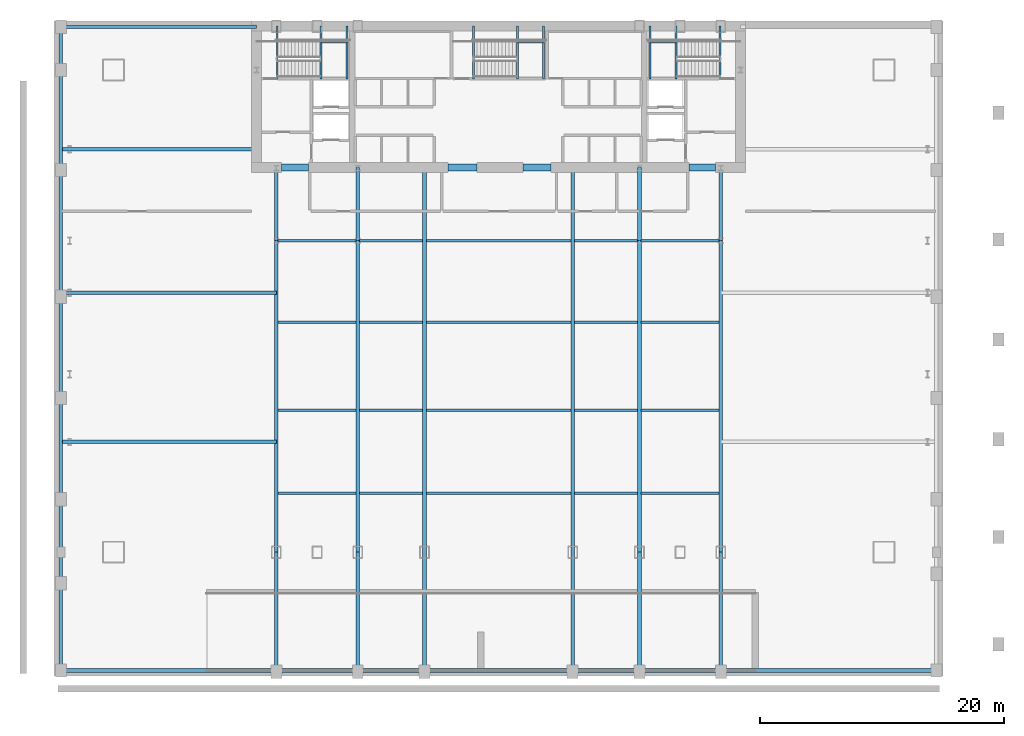
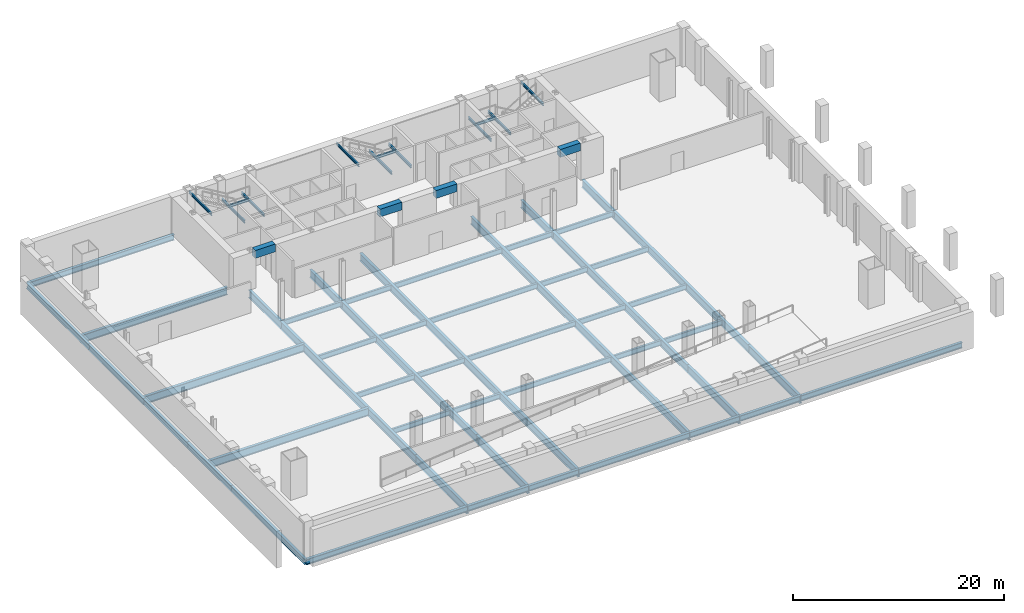
# One storey, part 5 of 10: 66 beams.
"""IFC4 building model written with IfcOpenShell, lengths in metres."""

from ifc_helpers import new_model, si_unit, direction, frame, origin, origin_2d, place, context, subcontext, project, spatial, rectangle, i_section, extrude, material, material_profile, profile_set, type_object, element, save


model = new_model("IFC4")

# Units and contexts
model_context = context("Model", 3, precision=1e-05, world=origin(), true_north=direction((0.0, 1.0)))
body_context = subcontext(model_context, "Body", "Model", "MODEL_VIEW")
ifc_project = project(units=[si_unit("LENGTHUNIT", "METRE"), si_unit("AREAUNIT", "SQUARE_METRE"), si_unit("VOLUMEUNIT", "CUBIC_METRE"), si_unit("PLANEANGLEUNIT", "RADIAN"), si_unit("MASSUNIT", "GRAM", prefix="KILO")], contexts=[model_context])

# Site, building, storey
site_placement = place(None, origin())
site = spatial("IfcSite", under=ifc_project, at=site_placement, CompositionType="ELEMENT")
building_placement = place(site_placement, origin())
building = spatial("IfcBuilding", under=site, at=building_placement, Name="Khoronbel Lancet Exchange", CompositionType="ELEMENT")
storey_placement = place(building_placement, frame((0.0, 0.0, -4.5)))
storey = spatial("IfcBuildingStorey", under=building, at=storey_placement, Name="B1", CompositionType="ELEMENT", Elevation=-4.5)

# Beams
ifc_material_1 = material(Name="Steel S355", Category="steel")
ifc_material_profile_1 = material_profile(ifc_material_1, i_section(OverallWidth=0.300048828125, OverallDepth=0.89990234375, WebThickness=0.0185546875, FlangeThickness=0.034912109375, at=origin_2d()), Name="HEB 900")
ifc_profile_set_1 = profile_set([ifc_material_profile_1], Name="Steel S355")
beam_type_1 = type_object("IfcBeamType", Name="BM-BG1", PredefinedType="BEAM", material=ifc_profile_set_1)
beam_1_placement = place(storey_placement, frame((18.22509765625, 0.35009765625, -0.669921875), z_axis=(0.0, 1.0, 0.0), x_axis=(-1.0, 0.0, 0.0)))
element("IfcBeam", 1, at=beam_1_placement, inside=storey, type_object=beam_type_1, Name="Level B1 south bay girder GS01", PredefinedType="BEAM", context=body_context, shape_type="SweptSolid", body=[
    extrude(i_section(OverallWidth=0.300048828125, OverallDepth=0.89990234375, WebThickness=0.0185546875, FlangeThickness=0.034912109375, at=origin_2d()), origin(), (0.0, 0.0, 1.0), 9.7998046875),
])
beam_2_placement = place(storey_placement, frame((18.22509765625, 10.14990234375, -0.669921875), z_axis=(0.0, 1.0, 0.0), x_axis=(-1.0, 0.0, 0.0)))
element("IfcBeam", 2, at=beam_2_placement, inside=storey, type_object=beam_type_1, Name="Level B1 south primary girder GS1", PredefinedType="BEAM", context=body_context, shape_type="SweptSolid", body=[
    extrude(i_section(OverallWidth=0.300048828125, OverallDepth=0.89990234375, WebThickness=0.0185546875, FlangeThickness=0.034912109375, at=origin_2d()), origin(), (0.0, 0.0, 1.0), 25.550048828125),
])
beam_3_placement = place(storey_placement, frame((18.22509765625, 35.699951171875, -0.669921875), z_axis=(0.0, 1.0, 0.0), x_axis=(-1.0, 0.0, 0.0)))
element("IfcBeam", 3, at=beam_3_placement, inside=storey, type_object=beam_type_1, Name="Level B1 spine tie girder GN1", PredefinedType="BEAM", context=body_context, shape_type="SweptSolid", body=[
    extrude(i_section(OverallWidth=0.300048828125, OverallDepth=0.89990234375, WebThickness=0.0185546875, FlangeThickness=0.034912109375, at=origin_2d()), origin(), (0.0, 0.0, 1.0), 6.0),
])
beam_4_placement = place(storey_placement, frame((24.89990234375, 0.35009765625, -0.669921875), z_axis=(0.0, 1.0, 0.0), x_axis=(-1.0, 0.0, 0.0)))
element("IfcBeam", 4, at=beam_4_placement, inside=storey, type_object=beam_type_1, Name="Level B1 south bay girder GS02", PredefinedType="BEAM", context=body_context, shape_type="SweptSolid", body=[
    extrude(i_section(OverallWidth=0.300048828125, OverallDepth=0.89990234375, WebThickness=0.0185546875, FlangeThickness=0.034912109375, at=origin_2d()), origin(), (0.0, 0.0, 1.0), 9.7998046875),
])
beam_5_placement = place(storey_placement, frame((24.89990234375, 10.14990234375, -0.669921875), z_axis=(0.0, 1.0, 0.0), x_axis=(-1.0, 0.0, 0.0)))
element("IfcBeam", 5, at=beam_5_placement, inside=storey, type_object=beam_type_1, Name="Level B1 south primary girder GS2", PredefinedType="BEAM", context=body_context, shape_type="SweptSolid", body=[
    extrude(i_section(OverallWidth=0.300048828125, OverallDepth=0.89990234375, WebThickness=0.0185546875, FlangeThickness=0.034912109375, at=origin_2d()), origin(), (0.0, 0.0, 1.0), 25.550048828125),
])
beam_6_placement = place(storey_placement, frame((24.89990234375, 35.699951171875, -0.669921875), z_axis=(0.0, 1.0, 0.0), x_axis=(-1.0, 0.0, 0.0)))
element("IfcBeam", 6, at=beam_6_placement, inside=storey, type_object=beam_type_1, Name="Level B1 spine tie girder GN2", PredefinedType="BEAM", context=body_context, shape_type="SweptSolid", body=[
    extrude(i_section(OverallWidth=0.300048828125, OverallDepth=0.89990234375, WebThickness=0.0185546875, FlangeThickness=0.034912109375, at=origin_2d()), origin(), (0.0, 0.0, 1.0), 6.0),
])
for number, where, z_axis, x_axis, name in (
    (7, (30.375, 0.35009765625, -0.669921875), (0.0, 1.0, 0.0), (-1.0, 0.0, 0.0), "Level B1 primary floor girder G3"),
    (8, (42.52490234375, 0.35009765625, -0.669921875), (0.0, 1.0, 0.0), (-1.0, 0.0, 0.0), "Level B1 primary floor girder G4"),
):
    element("IfcBeam", number, at=place(storey_placement, frame(where, z_axis=z_axis, x_axis=x_axis)), inside=storey, type_object=beam_type_1, Name=name, PredefinedType="BEAM", context=body_context, shape_type="SweptSolid", body=[
        extrude(i_section(OverallWidth=0.300048828125, OverallDepth=0.89990234375, WebThickness=0.0185546875, FlangeThickness=0.034912109375, at=origin_2d()), origin(), (0.0, 0.0, 1.0), 41.349853515625),
    ])
beam_7_placement = place(storey_placement, frame((48.0, 0.35009765625, -0.669921875), z_axis=(0.0, 1.0, 0.0), x_axis=(-1.0, 0.0, 0.0)))
element("IfcBeam", 9, at=beam_7_placement, inside=storey, type_object=beam_type_1, Name="Level B1 south bay girder GS05", PredefinedType="BEAM", context=body_context, shape_type="SweptSolid", body=[
    extrude(i_section(OverallWidth=0.300048828125, OverallDepth=0.89990234375, WebThickness=0.0185546875, FlangeThickness=0.034912109375, at=origin_2d()), origin(), (0.0, 0.0, 1.0), 9.7998046875),
])
beam_8_placement = place(storey_placement, frame((48.0, 10.14990234375, -0.669921875), z_axis=(0.0, 1.0, 0.0), x_axis=(-1.0, 0.0, 0.0)))
element("IfcBeam", 10, at=beam_8_placement, inside=storey, type_object=beam_type_1, Name="Level B1 south primary girder GS5", PredefinedType="BEAM", context=body_context, shape_type="SweptSolid", body=[
    extrude(i_section(OverallWidth=0.300048828125, OverallDepth=0.89990234375, WebThickness=0.0185546875, FlangeThickness=0.034912109375, at=origin_2d()), origin(), (0.0, 0.0, 1.0), 25.550048828125),
])
beam_9_placement = place(storey_placement, frame((48.0, 35.699951171875, -0.669921875), z_axis=(0.0, 1.0, 0.0), x_axis=(-1.0, 0.0, 0.0)))
element("IfcBeam", 11, at=beam_9_placement, inside=storey, type_object=beam_type_1, Name="Level B1 spine tie girder GN5", PredefinedType="BEAM", context=body_context, shape_type="SweptSolid", body=[
    extrude(i_section(OverallWidth=0.300048828125, OverallDepth=0.89990234375, WebThickness=0.0185546875, FlangeThickness=0.034912109375, at=origin_2d()), origin(), (0.0, 0.0, 1.0), 6.0),
])
beam_10_placement = place(storey_placement, frame((54.675048828125, 0.35009765625, -0.669921875), z_axis=(0.0, 1.0, 0.0), x_axis=(-1.0, 0.0, 0.0)))
element("IfcBeam", 12, at=beam_10_placement, inside=storey, type_object=beam_type_1, Name="Level B1 south bay girder GS06", PredefinedType="BEAM", context=body_context, shape_type="SweptSolid", body=[
    extrude(i_section(OverallWidth=0.300048828125, OverallDepth=0.89990234375, WebThickness=0.0185546875, FlangeThickness=0.034912109375, at=origin_2d()), origin(), (0.0, 0.0, 1.0), 9.7998046875),
])
beam_11_placement = place(storey_placement, frame((54.675048828125, 10.14990234375, -0.669921875), z_axis=(0.0, 1.0, 0.0), x_axis=(-1.0, 0.0, 0.0)))
element("IfcBeam", 13, at=beam_11_placement, inside=storey, type_object=beam_type_1, Name="Level B1 south primary girder GS6", PredefinedType="BEAM", context=body_context, shape_type="SweptSolid", body=[
    extrude(i_section(OverallWidth=0.300048828125, OverallDepth=0.89990234375, WebThickness=0.0185546875, FlangeThickness=0.034912109375, at=origin_2d()), origin(), (0.0, 0.0, 1.0), 25.550048828125),
])
beam_12_placement = place(storey_placement, frame((54.675048828125, 35.699951171875, -0.669921875), z_axis=(0.0, 1.0, 0.0), x_axis=(-1.0, 0.0, 0.0)))
element("IfcBeam", 14, at=beam_12_placement, inside=storey, type_object=beam_type_1, Name="Level B1 spine tie girder GN6", PredefinedType="BEAM", context=body_context, shape_type="SweptSolid", body=[
    extrude(i_section(OverallWidth=0.300048828125, OverallDepth=0.89990234375, WebThickness=0.0185546875, FlangeThickness=0.034912109375, at=origin_2d()), origin(), (0.0, 0.0, 1.0), 6.0),
])
for number, where, z_axis, x_axis, name in (
    (15, (0.550048828125, 19.199951171875, -0.669921875), (1.0, 0.0, 0.0), (0.0, 1.0, 0.0), "Level B1 west lens tie girder LG1W"),
    (16, (0.550048828125, 31.425048828125, -0.669921875), (1.0, 0.0, 0.0), (0.0, 1.0, 0.0), "Level B1 west lens tie girder LG2W"),
):
    element("IfcBeam", number, at=place(storey_placement, frame(where, z_axis=z_axis, x_axis=x_axis)), inside=storey, type_object=beam_type_1, Name=name, PredefinedType="BEAM", context=body_context, shape_type="SweptSolid", body=[
        extrude(i_section(OverallWidth=0.300048828125, OverallDepth=0.89990234375, WebThickness=0.0185546875, FlangeThickness=0.034912109375, at=origin_2d()), origin(), (0.0, 0.0, 1.0), 17.675048828125),
    ])
beam_13_placement = place(storey_placement, frame((0.550048828125, 43.199951171875, -0.669921875), z_axis=(1.0, 0.0, 0.0), x_axis=(0.0, 1.0, 0.0)))
element("IfcBeam", 17, at=beam_13_placement, inside=storey, type_object=beam_type_1, Name="Level B1 west lens tie girder LG3W", PredefinedType="BEAM", context=body_context, shape_type="SweptSolid", body=[
    extrude(i_section(OverallWidth=0.300048828125, OverallDepth=0.89990234375, WebThickness=0.0185546875, FlangeThickness=0.034912109375, at=origin_2d()), origin(), (0.0, 0.0, 1.0), 16.050048828125),
])
ifc_material_profile_2 = material_profile(ifc_material_1, i_section(OverallWidth=0.219970703125, OverallDepth=0.60009765625, WebThickness=0.011962890625, FlangeThickness=0.01904296875, at=origin_2d()), Name="IPE 600")
ifc_profile_set_2 = profile_set([ifc_material_profile_2], Name="Steel S355")
beam_type_2 = type_object("IfcBeamType", Name="BM-BJ1", PredefinedType="JOIST", material=ifc_profile_set_2)
beam_14_placement = place(storey_placement, frame((18.375, 15.0, -0.52001953125), z_axis=(1.0, 0.0, 0.0), x_axis=(0.0, 1.0, 0.0)))
element("IfcBeam", 18, at=beam_14_placement, inside=storey, type_object=beam_type_2, Name="Level B1 secondary composite joist J01", PredefinedType="JOIST", context=body_context, shape_type="SweptSolid", body=[
    extrude(i_section(OverallWidth=0.219970703125, OverallDepth=0.60009765625, WebThickness=0.011962890625, FlangeThickness=0.01904296875, at=origin_2d()), origin(), (0.0, 0.0, 1.0), 6.375),
])
beam_15_placement = place(storey_placement, frame((25.050048828125, 15.0, -0.52001953125), z_axis=(1.0, 0.0, 0.0), x_axis=(0.0, 1.0, 0.0)))
element("IfcBeam", 19, at=beam_15_placement, inside=storey, type_object=beam_type_2, Name="Level B1 secondary composite joist J02", PredefinedType="JOIST", context=body_context, shape_type="SweptSolid", body=[
    extrude(i_section(OverallWidth=0.219970703125, OverallDepth=0.60009765625, WebThickness=0.011962890625, FlangeThickness=0.01904296875, at=origin_2d()), origin(), (0.0, 0.0, 1.0), 5.175048828125),
])
beam_16_placement = place(storey_placement, frame((30.52490234375, 15.0, -0.52001953125), z_axis=(1.0, 0.0, 0.0), x_axis=(0.0, 1.0, 0.0)))
element("IfcBeam", 20, at=beam_16_placement, inside=storey, type_object=beam_type_2, Name="Level B1 secondary composite joist J03", PredefinedType="JOIST", context=body_context, shape_type="SweptSolid", body=[
    extrude(i_section(OverallWidth=0.219970703125, OverallDepth=0.60009765625, WebThickness=0.011962890625, FlangeThickness=0.01904296875, at=origin_2d()), origin(), (0.0, 0.0, 1.0), 11.85009765625),
])
beam_17_placement = place(storey_placement, frame((42.675048828125, 15.0, -0.52001953125), z_axis=(1.0, 0.0, 0.0), x_axis=(0.0, 1.0, 0.0)))
element("IfcBeam", 21, at=beam_17_placement, inside=storey, type_object=beam_type_2, Name="Level B1 secondary composite joist J04", PredefinedType="JOIST", context=body_context, shape_type="SweptSolid", body=[
    extrude(i_section(OverallWidth=0.219970703125, OverallDepth=0.60009765625, WebThickness=0.011962890625, FlangeThickness=0.01904296875, at=origin_2d()), origin(), (0.0, 0.0, 1.0), 5.175048828125),
])
for number, where, z_axis, x_axis, name in (
    (22, (48.14990234375, 15.0, -0.52001953125), (1.0, 0.0, 0.0), (0.0, 1.0, 0.0), "Level B1 secondary composite joist J05"),
    (23, (18.375, 21.800048828125, -0.52001953125), (1.0, 0.0, 0.0), (0.0, 1.0, 0.0), "Level B1 secondary composite joist J06"),
):
    element("IfcBeam", number, at=place(storey_placement, frame(where, z_axis=z_axis, x_axis=x_axis)), inside=storey, type_object=beam_type_2, Name=name, PredefinedType="JOIST", context=body_context, shape_type="SweptSolid", body=[
        extrude(i_section(OverallWidth=0.219970703125, OverallDepth=0.60009765625, WebThickness=0.011962890625, FlangeThickness=0.01904296875, at=origin_2d()), origin(), (0.0, 0.0, 1.0), 6.375),
    ])
beam_18_placement = place(storey_placement, frame((25.050048828125, 21.800048828125, -0.52001953125), z_axis=(1.0, 0.0, 0.0), x_axis=(0.0, 1.0, 0.0)))
element("IfcBeam", 24, at=beam_18_placement, inside=storey, type_object=beam_type_2, Name="Level B1 secondary composite joist J07", PredefinedType="JOIST", context=body_context, shape_type="SweptSolid", body=[
    extrude(i_section(OverallWidth=0.219970703125, OverallDepth=0.60009765625, WebThickness=0.011962890625, FlangeThickness=0.01904296875, at=origin_2d()), origin(), (0.0, 0.0, 1.0), 5.175048828125),
])
beam_19_placement = place(storey_placement, frame((30.52490234375, 21.800048828125, -0.52001953125), z_axis=(1.0, 0.0, 0.0), x_axis=(0.0, 1.0, 0.0)))
element("IfcBeam", 25, at=beam_19_placement, inside=storey, type_object=beam_type_2, Name="Level B1 secondary composite joist J08", PredefinedType="JOIST", context=body_context, shape_type="SweptSolid", body=[
    extrude(i_section(OverallWidth=0.219970703125, OverallDepth=0.60009765625, WebThickness=0.011962890625, FlangeThickness=0.01904296875, at=origin_2d()), origin(), (0.0, 0.0, 1.0), 11.85009765625),
])
beam_20_placement = place(storey_placement, frame((42.675048828125, 21.800048828125, -0.52001953125), z_axis=(1.0, 0.0, 0.0), x_axis=(0.0, 1.0, 0.0)))
element("IfcBeam", 26, at=beam_20_placement, inside=storey, type_object=beam_type_2, Name="Level B1 secondary composite joist J09", PredefinedType="JOIST", context=body_context, shape_type="SweptSolid", body=[
    extrude(i_section(OverallWidth=0.219970703125, OverallDepth=0.60009765625, WebThickness=0.011962890625, FlangeThickness=0.01904296875, at=origin_2d()), origin(), (0.0, 0.0, 1.0), 5.175048828125),
])
for number, where, z_axis, x_axis, name in (
    (27, (48.14990234375, 21.800048828125, -0.52001953125), (1.0, 0.0, 0.0), (0.0, 1.0, 0.0), "Level B1 secondary composite joist J10"),
    (28, (18.375, 29.0, -0.52001953125), (1.0, 0.0, 0.0), (0.0, 1.0, 0.0), "Level B1 secondary composite joist J11"),
):
    element("IfcBeam", number, at=place(storey_placement, frame(where, z_axis=z_axis, x_axis=x_axis)), inside=storey, type_object=beam_type_2, Name=name, PredefinedType="JOIST", context=body_context, shape_type="SweptSolid", body=[
        extrude(i_section(OverallWidth=0.219970703125, OverallDepth=0.60009765625, WebThickness=0.011962890625, FlangeThickness=0.01904296875, at=origin_2d()), origin(), (0.0, 0.0, 1.0), 6.375),
    ])
beam_21_placement = place(storey_placement, frame((25.050048828125, 29.0, -0.52001953125), z_axis=(1.0, 0.0, 0.0), x_axis=(0.0, 1.0, 0.0)))
element("IfcBeam", 29, at=beam_21_placement, inside=storey, type_object=beam_type_2, Name="Level B1 secondary composite joist J12", PredefinedType="JOIST", context=body_context, shape_type="SweptSolid", body=[
    extrude(i_section(OverallWidth=0.219970703125, OverallDepth=0.60009765625, WebThickness=0.011962890625, FlangeThickness=0.01904296875, at=origin_2d()), origin(), (0.0, 0.0, 1.0), 5.175048828125),
])
beam_22_placement = place(storey_placement, frame((30.52490234375, 29.0, -0.52001953125), z_axis=(1.0, 0.0, 0.0), x_axis=(0.0, 1.0, 0.0)))
element("IfcBeam", 30, at=beam_22_placement, inside=storey, type_object=beam_type_2, Name="Level B1 secondary composite joist J13", PredefinedType="JOIST", context=body_context, shape_type="SweptSolid", body=[
    extrude(i_section(OverallWidth=0.219970703125, OverallDepth=0.60009765625, WebThickness=0.011962890625, FlangeThickness=0.01904296875, at=origin_2d()), origin(), (0.0, 0.0, 1.0), 11.85009765625),
])
beam_23_placement = place(storey_placement, frame((42.675048828125, 29.0, -0.52001953125), z_axis=(1.0, 0.0, 0.0), x_axis=(0.0, 1.0, 0.0)))
element("IfcBeam", 31, at=beam_23_placement, inside=storey, type_object=beam_type_2, Name="Level B1 secondary composite joist J14", PredefinedType="JOIST", context=body_context, shape_type="SweptSolid", body=[
    extrude(i_section(OverallWidth=0.219970703125, OverallDepth=0.60009765625, WebThickness=0.011962890625, FlangeThickness=0.01904296875, at=origin_2d()), origin(), (0.0, 0.0, 1.0), 5.175048828125),
])
for number, where, z_axis, x_axis, name in (
    (32, (48.14990234375, 29.0, -0.52001953125), (1.0, 0.0, 0.0), (0.0, 1.0, 0.0), "Level B1 secondary composite joist J15"),
    (33, (18.375, 35.699951171875, -0.52001953125), (1.0, 0.0, 0.0), (0.0, 1.0, 0.0), "Level B1 secondary composite joist J16"),
):
    element("IfcBeam", number, at=place(storey_placement, frame(where, z_axis=z_axis, x_axis=x_axis)), inside=storey, type_object=beam_type_2, Name=name, PredefinedType="JOIST", context=body_context, shape_type="SweptSolid", body=[
        extrude(i_section(OverallWidth=0.219970703125, OverallDepth=0.60009765625, WebThickness=0.011962890625, FlangeThickness=0.01904296875, at=origin_2d()), origin(), (0.0, 0.0, 1.0), 6.375),
    ])
beam_24_placement = place(storey_placement, frame((25.050048828125, 35.699951171875, -0.52001953125), z_axis=(1.0, 0.0, 0.0), x_axis=(0.0, 1.0, 0.0)))
element("IfcBeam", 34, at=beam_24_placement, inside=storey, type_object=beam_type_2, Name="Level B1 secondary composite joist J17", PredefinedType="JOIST", context=body_context, shape_type="SweptSolid", body=[
    extrude(i_section(OverallWidth=0.219970703125, OverallDepth=0.60009765625, WebThickness=0.011962890625, FlangeThickness=0.01904296875, at=origin_2d()), origin(), (0.0, 0.0, 1.0), 5.175048828125),
])
beam_25_placement = place(storey_placement, frame((30.52490234375, 35.699951171875, -0.52001953125), z_axis=(1.0, 0.0, 0.0), x_axis=(0.0, 1.0, 0.0)))
element("IfcBeam", 35, at=beam_25_placement, inside=storey, type_object=beam_type_2, Name="Level B1 secondary composite joist J18", PredefinedType="JOIST", context=body_context, shape_type="SweptSolid", body=[
    extrude(i_section(OverallWidth=0.219970703125, OverallDepth=0.60009765625, WebThickness=0.011962890625, FlangeThickness=0.01904296875, at=origin_2d()), origin(), (0.0, 0.0, 1.0), 11.85009765625),
])
beam_26_placement = place(storey_placement, frame((42.675048828125, 35.699951171875, -0.52001953125), z_axis=(1.0, 0.0, 0.0), x_axis=(0.0, 1.0, 0.0)))
element("IfcBeam", 36, at=beam_26_placement, inside=storey, type_object=beam_type_2, Name="Level B1 secondary composite joist J19", PredefinedType="JOIST", context=body_context, shape_type="SweptSolid", body=[
    extrude(i_section(OverallWidth=0.219970703125, OverallDepth=0.60009765625, WebThickness=0.011962890625, FlangeThickness=0.01904296875, at=origin_2d()), origin(), (0.0, 0.0, 1.0), 5.175048828125),
])
beam_27_placement = place(storey_placement, frame((48.14990234375, 35.699951171875, -0.52001953125), z_axis=(1.0, 0.0, 0.0), x_axis=(0.0, 1.0, 0.0)))
element("IfcBeam", 37, at=beam_27_placement, inside=storey, type_object=beam_type_2, Name="Level B1 secondary composite joist J20", PredefinedType="JOIST", context=body_context, shape_type="SweptSolid", body=[
    extrude(i_section(OverallWidth=0.219970703125, OverallDepth=0.60009765625, WebThickness=0.011962890625, FlangeThickness=0.01904296875, at=origin_2d()), origin(), (0.0, 0.0, 1.0), 6.375),
])
ifc_material_profile_3 = material_profile(ifc_material_1, i_section(OverallWidth=0.159912109375, OverallDepth=0.330078125, WebThickness=0.007568359375, FlangeThickness=0.011474609375, at=origin_2d()), Name="IPE 330")
ifc_profile_set_3 = profile_set([ifc_material_profile_3], Name="Steel S355")
beam_type_3 = type_object("IfcBeamType", Name="BM-BJ7", PredefinedType="JOIST", material=ifc_profile_set_3)
for number, where, z_axis, x_axis, name in (
    (38, (21.89990234375, 48.97998046875, 1.885009765625), (0.0, 1.0, 0.0), (-1.0, 0.0, 0.0), "Level B1 stair ST1 landing bearer beam 1"),
    (39, (24.030029296875, 48.97998046875, 1.885009765625), (0.0, 1.0, 0.0), (-1.0, 0.0, 0.0), "Level B1 stair ST1 rear landing bearer beam 1"),
):
    element("IfcBeam", number, at=place(storey_placement, frame(where, z_axis=z_axis, x_axis=x_axis)), inside=storey, type_object=beam_type_3, Name=name, PredefinedType="JOIST", context=body_context, shape_type="SweptSolid", body=[
        extrude(i_section(OverallWidth=0.159912109375, OverallDepth=0.330078125, WebThickness=0.007568359375, FlangeThickness=0.011474609375, at=origin_2d()), origin(), (0.0, 0.0, 1.0), 4.320068359375),
    ])
beam_28_placement = place(storey_placement, frame((21.89990234375, 51.97998046875, 1.885009765625), z_axis=(1.0, 0.0, 0.0), x_axis=(0.0, 1.0, 0.0)))
element("IfcBeam", 40, at=beam_28_placement, inside=storey, type_object=beam_type_3, Name="Level B1 stair ST1 landing cross trimmer beam 1", PredefinedType="JOIST", context=body_context, shape_type="SweptSolid", body=[
    extrude(i_section(OverallWidth=0.159912109375, OverallDepth=0.330078125, WebThickness=0.007568359375, FlangeThickness=0.011474609375, at=origin_2d()), origin(), (0.0, 0.0, 1.0), 2.130126953125),
])
for number, where, z_axis, x_axis, name in (
    (41, (51.0, 48.97998046875, 1.885009765625), (0.0, 1.0, 0.0), (-1.0, 0.0, 0.0), "Level B1 stair ST2 landing bearer beam 1"),
    (42, (48.8701171875, 48.97998046875, 1.885009765625), (0.0, 1.0, 0.0), (-1.0, 0.0, 0.0), "Level B1 stair ST2 rear landing bearer beam 1"),
):
    element("IfcBeam", number, at=place(storey_placement, frame(where, z_axis=z_axis, x_axis=x_axis)), inside=storey, type_object=beam_type_3, Name=name, PredefinedType="JOIST", context=body_context, shape_type="SweptSolid", body=[
        extrude(i_section(OverallWidth=0.159912109375, OverallDepth=0.330078125, WebThickness=0.007568359375, FlangeThickness=0.011474609375, at=origin_2d()), origin(), (0.0, 0.0, 1.0), 4.320068359375),
    ])
beam_29_placement = place(storey_placement, frame((48.8701171875, 51.97998046875, 1.885009765625), z_axis=(1.0, 0.0, 0.0), x_axis=(0.0, 1.0, 0.0)))
element("IfcBeam", 43, at=beam_29_placement, inside=storey, type_object=beam_type_3, Name="Level B1 stair ST2 landing cross trimmer beam 1", PredefinedType="JOIST", context=body_context, shape_type="SweptSolid", body=[
    extrude(i_section(OverallWidth=0.159912109375, OverallDepth=0.330078125, WebThickness=0.007568359375, FlangeThickness=0.011474609375, at=origin_2d()), origin(), (0.0, 0.0, 1.0), 2.1298828125),
])
for number, where, z_axis, x_axis, name in (
    (44, (38.0, 48.97998046875, 1.885009765625), (0.0, 1.0, 0.0), (-1.0, 0.0, 0.0), "Level B1 stair ST3 landing bearer beam 1"),
    (45, (40.1298828125, 48.97998046875, 1.885009765625), (0.0, 1.0, 0.0), (-1.0, 0.0, 0.0), "Level B1 stair ST3 rear landing bearer beam 1"),
):
    element("IfcBeam", number, at=place(storey_placement, frame(where, z_axis=z_axis, x_axis=x_axis)), inside=storey, type_object=beam_type_3, Name=name, PredefinedType="JOIST", context=body_context, shape_type="SweptSolid", body=[
        extrude(i_section(OverallWidth=0.159912109375, OverallDepth=0.330078125, WebThickness=0.007568359375, FlangeThickness=0.011474609375, at=origin_2d()), origin(), (0.0, 0.0, 1.0), 4.320068359375),
    ])
beam_30_placement = place(storey_placement, frame((38.0, 51.97998046875, 1.885009765625), z_axis=(1.0, 0.0, 0.0), x_axis=(0.0, 1.0, 0.0)))
element("IfcBeam", 46, at=beam_30_placement, inside=storey, type_object=beam_type_3, Name="Level B1 stair ST3 landing cross trimmer beam 1", PredefinedType="JOIST", context=body_context, shape_type="SweptSolid", body=[
    extrude(i_section(OverallWidth=0.159912109375, OverallDepth=0.330078125, WebThickness=0.007568359375, FlangeThickness=0.011474609375, at=origin_2d()), origin(), (0.0, 0.0, 1.0), 2.1298828125),
])
ifc_material_profile_4 = material_profile(ifc_material_1, i_section(OverallWidth=0.14990234375, OverallDepth=0.300048828125, WebThickness=0.007080078125, FlangeThickness=0.0107421875, at=origin_2d()), Name="IPE 300")
ifc_profile_set_4 = profile_set([ifc_material_profile_4], Name="Steel S355")
beam_type_4 = type_object("IfcBeamType", Name="BM-BJ8", PredefinedType="JOIST", material=ifc_profile_set_4)
for number, where, z_axis, x_axis, name in (
    (47, (18.300048828125, 48.97998046875, 4.0), (0.0, 1.0, 0.0), (-1.0, 0.0, 0.0), "Level B1 stair ST1 upper-flight arrival trimmer beam"),
    (48, (54.60009765625, 48.97998046875, 4.0), (0.0, 1.0, 0.0), (-1.0, 0.0, 0.0), "Level B1 stair ST2 upper-flight arrival trimmer beam"),
    (49, (34.39990234375, 48.97998046875, 4.0), (0.0, 1.0, 0.0), (-1.0, 0.0, 0.0), "Level B1 stair ST3 upper-flight arrival trimmer beam"),
):
    element("IfcBeam", number, at=place(storey_placement, frame(where, z_axis=z_axis, x_axis=x_axis)), inside=storey, type_object=beam_type_4, Name=name, PredefinedType="JOIST", context=body_context, shape_type="SweptSolid", body=[
        extrude(i_section(OverallWidth=0.14990234375, OverallDepth=0.300048828125, WebThickness=0.007080078125, FlangeThickness=0.0107421875, at=origin_2d()), origin(), (0.0, 0.0, 1.0), 4.320068359375),
    ])
ifc_material_2 = material(Name="Concrete C80/95", Category="concrete")
ifc_material_profile_5 = material_profile(ifc_material_2, rectangle(XDim=0.60009765625, YDim=0.89990234375, at=origin_2d()), Name="RC 600x900")
ifc_profile_set_5 = profile_set([ifc_material_profile_5], Name="Concrete C80/95")
beam_type_5 = type_object("IfcBeamType", Name="BM-BL1", PredefinedType="LINTEL", material=ifc_profile_set_5)
beam_31_placement = place(storey_placement, frame((18.64990234375, 41.699951171875, 3.830078125), z_axis=(1.0, 0.0, 0.0), x_axis=(0.0, 1.0, 0.0)))
element("IfcBeam", 50, at=beam_31_placement, inside=storey, type_object=beam_type_5, Name="Level B1 rear core coupling lintel L1", PredefinedType="LINTEL", context=body_context, shape_type="SweptSolid", body=[
    extrude(rectangle(XDim=0.60009765625, YDim=0.89990234375, at=origin_2d()), origin(), (0.0, 0.0, 1.0), 2.2001953125),
])
beam_32_placement = place(storey_placement, frame((32.300048828125, 41.699951171875, 3.830078125), z_axis=(1.0, 0.0, 0.0), x_axis=(0.0, 1.0, 0.0)))
element("IfcBeam", 51, at=beam_32_placement, inside=storey, type_object=beam_type_5, Name="Level B1 rear core coupling lintel L2", PredefinedType="LINTEL", context=body_context, shape_type="SweptSolid", body=[
    extrude(rectangle(XDim=0.60009765625, YDim=0.89990234375, at=origin_2d()), origin(), (0.0, 0.0, 1.0), 2.39990234375),
])
beam_33_placement = place(storey_placement, frame((38.449951171875, 41.699951171875, 3.830078125), z_axis=(1.0, 0.0, 0.0), x_axis=(0.0, 1.0, 0.0)))
element("IfcBeam", 52, at=beam_33_placement, inside=storey, type_object=beam_type_5, Name="Level B1 rear core coupling lintel L3", PredefinedType="LINTEL", context=body_context, shape_type="SweptSolid", body=[
    extrude(rectangle(XDim=0.60009765625, YDim=0.89990234375, at=origin_2d()), origin(), (0.0, 0.0, 1.0), 2.300048828125),
])
beam_34_placement = place(storey_placement, frame((52.050048828125, 41.699951171875, 3.830078125), z_axis=(1.0, 0.0, 0.0), x_axis=(0.0, 1.0, 0.0)))
element("IfcBeam", 53, at=beam_34_placement, inside=storey, type_object=beam_type_5, Name="Level B1 rear core coupling lintel L4", PredefinedType="LINTEL", context=body_context, shape_type="SweptSolid", body=[
    extrude(rectangle(XDim=0.60009765625, YDim=0.89990234375, at=origin_2d()), origin(), (0.0, 0.0, 1.0), 2.199951171875),
])
ifc_material_profile_6 = material_profile(ifc_material_1, i_section(OverallWidth=0.300048828125, OverallDepth=0.64990234375, WebThickness=0.01611328125, FlangeThickness=0.031005859375, at=origin_2d()), Name="HEB 650")
ifc_profile_set_6 = profile_set([ifc_material_profile_6], Name="Steel S355")
beam_type_6 = type_object("IfcBeamType", Name="BM-BSP1", PredefinedType="SPANDREL", material=ifc_profile_set_6)
beam_35_placement = place(storey_placement, frame((0.550048828125, 0.449951171875, -0.544921875), z_axis=(1.0, 0.0, 0.0), x_axis=(0.0, 1.0, 0.0)))
element("IfcBeam", 54, at=beam_35_placement, inside=storey, type_object=beam_type_6, Name="Level B1 perimeter spandrel beam SP01", PredefinedType="SPANDREL", context=body_context, shape_type="SweptSolid", body=[
    extrude(i_section(OverallWidth=0.300048828125, OverallDepth=0.64990234375, WebThickness=0.01611328125, FlangeThickness=0.031005859375, at=origin_2d()), origin(), (0.0, 0.0, 1.0), 17.675048828125),
])
beam_36_placement = place(storey_placement, frame((18.22509765625, 0.449951171875, -0.544921875), z_axis=(1.0, 0.0, 0.0), x_axis=(0.0, 1.0, 0.0)))
element("IfcBeam", 55, at=beam_36_placement, inside=storey, type_object=beam_type_6, Name="Level B1 perimeter spandrel beam SP02", PredefinedType="SPANDREL", context=body_context, shape_type="SweptSolid", body=[
    extrude(i_section(OverallWidth=0.300048828125, OverallDepth=0.64990234375, WebThickness=0.01611328125, FlangeThickness=0.031005859375, at=origin_2d()), origin(), (0.0, 0.0, 1.0), 6.6748046875),
])
beam_37_placement = place(storey_placement, frame((24.89990234375, 0.449951171875, -0.544921875), z_axis=(1.0, 0.0, 0.0), x_axis=(0.0, 1.0, 0.0)))
element("IfcBeam", 56, at=beam_37_placement, inside=storey, type_object=beam_type_6, Name="Level B1 perimeter spandrel beam SP03", PredefinedType="SPANDREL", context=body_context, shape_type="SweptSolid", body=[
    extrude(i_section(OverallWidth=0.300048828125, OverallDepth=0.64990234375, WebThickness=0.01611328125, FlangeThickness=0.031005859375, at=origin_2d()), origin(), (0.0, 0.0, 1.0), 5.47509765625),
])
beam_38_placement = place(storey_placement, frame((30.375, 0.449951171875, -0.544921875), z_axis=(1.0, 0.0, 0.0), x_axis=(0.0, 1.0, 0.0)))
element("IfcBeam", 57, at=beam_38_placement, inside=storey, type_object=beam_type_6, Name="Level B1 perimeter spandrel beam SP04", PredefinedType="SPANDREL", context=body_context, shape_type="SweptSolid", body=[
    extrude(i_section(OverallWidth=0.300048828125, OverallDepth=0.64990234375, WebThickness=0.01611328125, FlangeThickness=0.031005859375, at=origin_2d()), origin(), (0.0, 0.0, 1.0), 12.14990234375),
])
beam_39_placement = place(storey_placement, frame((42.52490234375, 0.449951171875, -0.544921875), z_axis=(1.0, 0.0, 0.0), x_axis=(0.0, 1.0, 0.0)))
element("IfcBeam", 58, at=beam_39_placement, inside=storey, type_object=beam_type_6, Name="Level B1 perimeter spandrel beam SP05", PredefinedType="SPANDREL", context=body_context, shape_type="SweptSolid", body=[
    extrude(i_section(OverallWidth=0.300048828125, OverallDepth=0.64990234375, WebThickness=0.01611328125, FlangeThickness=0.031005859375, at=origin_2d()), origin(), (0.0, 0.0, 1.0), 5.47509765625),
])
beam_40_placement = place(storey_placement, frame((48.0, 0.449951171875, -0.544921875), z_axis=(1.0, 0.0, 0.0), x_axis=(0.0, 1.0, 0.0)))
element("IfcBeam", 59, at=beam_40_placement, inside=storey, type_object=beam_type_6, Name="Level B1 perimeter spandrel beam SP06", PredefinedType="SPANDREL", context=body_context, shape_type="SweptSolid", body=[
    extrude(i_section(OverallWidth=0.300048828125, OverallDepth=0.64990234375, WebThickness=0.01611328125, FlangeThickness=0.031005859375, at=origin_2d()), origin(), (0.0, 0.0, 1.0), 6.675048828125),
])
beam_41_placement = place(storey_placement, frame((54.675048828125, 0.449951171875, -0.544921875), z_axis=(1.0, 0.0, 0.0), x_axis=(0.0, 1.0, 0.0)))
element("IfcBeam", 60, at=beam_41_placement, inside=storey, type_object=beam_type_6, Name="Level B1 perimeter spandrel beam SP07", PredefinedType="SPANDREL", context=body_context, shape_type="SweptSolid", body=[
    extrude(i_section(OverallWidth=0.300048828125, OverallDepth=0.64990234375, WebThickness=0.01611328125, FlangeThickness=0.031005859375, at=origin_2d()), origin(), (0.0, 0.0, 1.0), 17.675048828125),
])
beam_42_placement = place(storey_placement, frame((16.60009765625, 53.25, -0.544921875), z_axis=(-1.0, 0.0, 0.0), x_axis=(0.0, -1.0, 0.0)))
element("IfcBeam", 61, at=beam_42_placement, inside=storey, type_object=beam_type_6, Name="Level B1 perimeter spandrel beam SP14", PredefinedType="SPANDREL", context=body_context, shape_type="SweptSolid", body=[
    extrude(i_section(OverallWidth=0.300048828125, OverallDepth=0.64990234375, WebThickness=0.01611328125, FlangeThickness=0.031005859375, at=origin_2d()), origin(), (0.0, 0.0, 1.0), 16.050048828125),
])
beam_43_placement = place(storey_placement, frame((0.550048828125, 53.25, -0.544921875), z_axis=(0.0, -1.0, 0.0), x_axis=(1.0, 0.0, 0.0)))
element("IfcBeam", 62, at=beam_43_placement, inside=storey, type_object=beam_type_6, Name="Level B1 perimeter spandrel beam SP15", PredefinedType="SPANDREL", context=body_context, shape_type="SweptSolid", body=[
    extrude(i_section(OverallWidth=0.300048828125, OverallDepth=0.64990234375, WebThickness=0.01611328125, FlangeThickness=0.031005859375, at=origin_2d()), origin(), (0.0, 0.0, 1.0), 11.75),
])
beam_44_placement = place(storey_placement, frame((0.550048828125, 41.5, -0.544921875), z_axis=(0.0, -1.0, 0.0), x_axis=(1.0, 0.0, 0.0)))
element("IfcBeam", 63, at=beam_44_placement, inside=storey, type_object=beam_type_6, Name="Level B1 perimeter spandrel beam SP16", PredefinedType="SPANDREL", context=body_context, shape_type="SweptSolid", body=[
    extrude(i_section(OverallWidth=0.300048828125, OverallDepth=0.64990234375, WebThickness=0.01611328125, FlangeThickness=0.031005859375, at=origin_2d()), origin(), (0.0, 0.0, 1.0), 10.39990234375),
])
for number, where, z_axis, x_axis, name in (
    (64, (0.550048828125, 31.10009765625, -0.544921875), (0.0, -1.0, 0.0), (1.0, 0.0, 0.0), "Level B1 perimeter spandrel beam SP17"),
    (65, (0.550048828125, 22.800048828125, -0.544921875), (0.0, -1.0, 0.0), (1.0, 0.0, 0.0), "Level B1 perimeter spandrel beam SP18"),
):
    element("IfcBeam", number, at=place(storey_placement, frame(where, z_axis=z_axis, x_axis=x_axis)), inside=storey, type_object=beam_type_6, Name=name, PredefinedType="SPANDREL", context=body_context, shape_type="SweptSolid", body=[
        extrude(i_section(OverallWidth=0.300048828125, OverallDepth=0.64990234375, WebThickness=0.01611328125, FlangeThickness=0.031005859375, at=origin_2d()), origin(), (0.0, 0.0, 1.0), 8.300048828125),
    ])
beam_45_placement = place(storey_placement, frame((0.550048828125, 14.5, -0.544921875), z_axis=(0.0, -1.0, 0.0), x_axis=(1.0, 0.0, 0.0)))
element("IfcBeam", 66, at=beam_45_placement, inside=storey, type_object=beam_type_6, Name="Level B1 perimeter spandrel beam SP19", PredefinedType="SPANDREL", context=body_context, shape_type="SweptSolid", body=[
    extrude(i_section(OverallWidth=0.300048828125, OverallDepth=0.64990234375, WebThickness=0.01611328125, FlangeThickness=0.031005859375, at=origin_2d()), origin(), (0.0, 0.0, 1.0), 14.050048828125),
])

save(model, "model.ifc")
